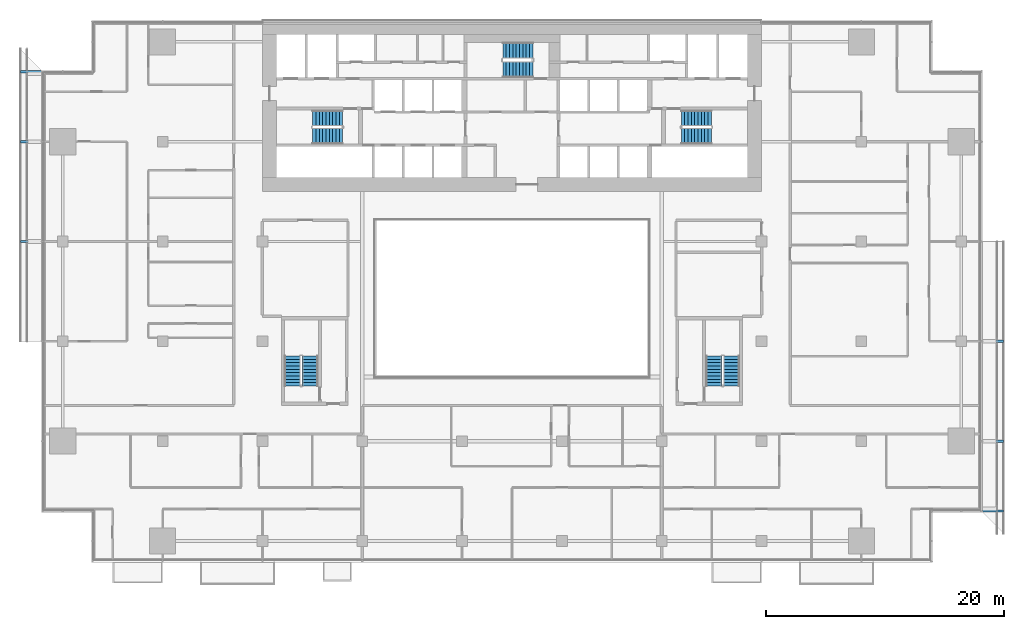
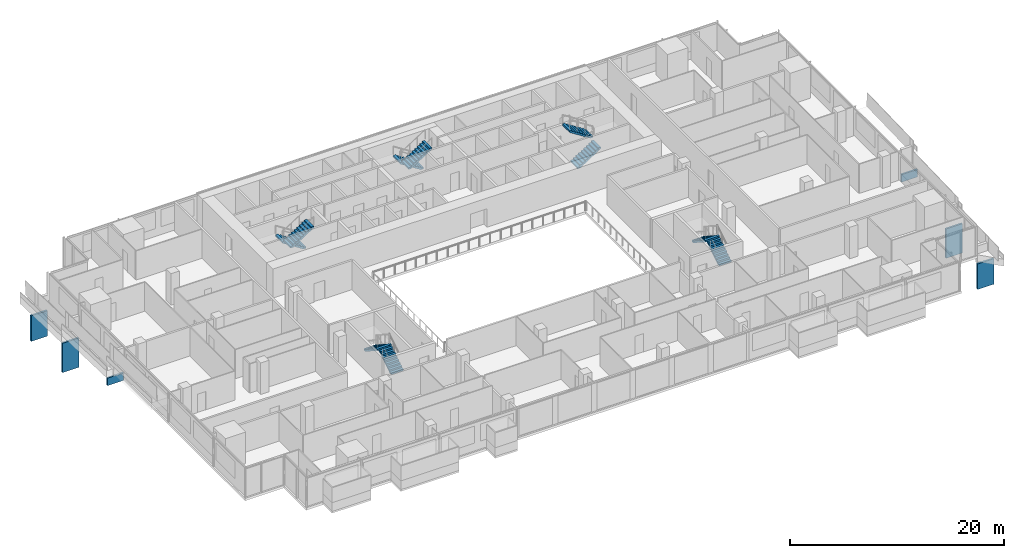
# One storey, part 25 of 28: 10 stair flights, 6 discrete accessories, 5 elements without a shape of their own.
"""IFC4 building model written with IfcOpenShell, lengths in metres."""

from ifc_helpers import new_model, si_unit, direction, frame, origin, origin_2d, place, context, subcontext, project, spatial, polyline, rectangle, outline, extrude, material, type_object, element, aggregate, save


model = new_model("IFC4")

# Units and contexts
model_context = context("Model", 3, precision=1e-05, world=origin(), true_north=direction((0.0, 1.0)))
body_context = subcontext(model_context, "Body", "Model", "MODEL_VIEW")
ifc_project = project(units=[si_unit("LENGTHUNIT", "METRE"), si_unit("AREAUNIT", "SQUARE_METRE"), si_unit("VOLUMEUNIT", "CUBIC_METRE"), si_unit("PLANEANGLEUNIT", "RADIAN"), si_unit("MASSUNIT", "GRAM", prefix="KILO")], contexts=[model_context])

# Site, building, storey
site_placement = place(None, origin())
site = spatial("IfcSite", under=ifc_project, at=site_placement, CompositionType="ELEMENT")
building_placement = place(site_placement, origin())
building = spatial("IfcBuilding", under=site, at=building_placement, Name="Saffron Gate Tower", CompositionType="ELEMENT")
storey_placement = place(building_placement, frame((0.0, 0.0, 51.60009765625)))
storey = spatial("IfcBuildingStorey", under=building, at=storey_placement, Name="L11", CompositionType="ELEMENT", Elevation=51.60009765625)

# Stair, stair flights
ifc_material = material(Name="Concrete C40", Category="concrete")
stair_type = type_object("IfcStairType", Name="ST7 Stair 1350 wide, 20 risers of 180", PredefinedType="HALF_TURN_STAIR", material=ifc_material)
stair_1_placement = place(storey_placement, origin())
stair_1 = element("IfcStair", 1, at=stair_1_placement, inside=storey, type_object=stair_type, Name="L11 Exit stair A", PredefinedType="HALF_TURN_STAIR")
stair_flight_type = type_object("IfcStairFlightType", Name="SF3 Stair flight 1350 wide, riser 180 going 280", PredefinedType="STRAIGHT", material=ifc_material)
stair_flight_1_placement = place(storey_placement, frame((73.35009765625, 67.375, 0.0), z_axis=(0.0, 0.0, 1.0), x_axis=(-1.0, 0.0, 0.0)))
stair_flight_1 = element("IfcStairFlight", 2, at=stair_flight_1_placement, type_object=stair_flight_type, Name="ST-A flight 1", NumberOfRisers=10, NumberOfTreads=9, PredefinedType="STRAIGHT", RiserHeight=0.18, TreadLength=0.28, context=body_context, shape_type="SweptSolid", body=[
    extrude(outline(polyline([(0.0, 0.0), (0.0, 0.179931640625), (0.280029296875, 0.179931640625), (0.280029296875, 0.360107421875), (0.56005859375, 0.360107421875), (0.56005859375, 0.5400390625), (0.840087890625, 0.5400390625), (0.840087890625, 0.719970703125), (1.1201171875, 0.719970703125), (1.1201171875, 0.89990234375), (1.39990234375, 0.89990234375), (1.39990234375, 1.080078125), (1.679931640625, 1.080078125), (1.679931640625, 1.260009765625), (1.9599609375, 1.260009765625), (1.9599609375, 1.43994140625), (2.239990234375, 1.43994140625), (2.239990234375, 1.6201171875), (2.52001953125, 1.6201171875), (2.52001953125, 1.800048828125), (2.52001953125, 1.44189453125), (0.277099609375, 0.0), (0.0, 0.0)])), frame((0.0, 0.675048828125, 0.0), z_axis=(0.0, -1.0, 0.0), x_axis=(1.0, 0.0, 0.0)), (0.0, 0.0, 1.0), 1.35009765625),
])
stair_flight_2_placement = place(storey_placement, frame((70.830078125, 65.875, 1.7998046875), z_axis=(0.0, 0.0, 1.0), x_axis=(1.0, 0.0, 0.0)))
stair_flight_2 = element("IfcStairFlight", 3, at=stair_flight_2_placement, type_object=stair_flight_type, Name="ST-A flight 2", NumberOfRisers=10, NumberOfTreads=9, PredefinedType="STRAIGHT", RiserHeight=0.18, TreadLength=0.28, context=body_context, shape_type="SweptSolid", body=[
    extrude(outline(polyline([(0.0, 0.0), (0.0, 0.179931640625), (0.280029296875, 0.179931640625), (0.280029296875, 0.360107421875), (0.56005859375, 0.360107421875), (0.56005859375, 0.5400390625), (0.840087890625, 0.5400390625), (0.840087890625, 0.719970703125), (1.1201171875, 0.719970703125), (1.1201171875, 0.89990234375), (1.39990234375, 0.89990234375), (1.39990234375, 1.080078125), (1.679931640625, 1.080078125), (1.679931640625, 1.260009765625), (1.9599609375, 1.260009765625), (1.9599609375, 1.43994140625), (2.239990234375, 1.43994140625), (2.239990234375, 1.6201171875), (2.52001953125, 1.6201171875), (2.52001953125, 1.800048828125), (2.52001953125, 1.44189453125), (0.277099609375, 0.0), (0.0, 0.0)])), frame((0.0, 0.675048828125, 0.0), z_axis=(0.0, -1.0, 0.0), x_axis=(1.0, 0.0, 0.0)), (0.0, 0.0, 1.0), 1.35009765625),
])
aggregate(stair_1, [stair_flight_1, stair_flight_2])

stair_2_placement = place(storey_placement, origin())
stair_2 = element("IfcStair", 4, at=stair_2_placement, inside=storey, type_object=stair_type, Name="L11 Exit stair B", PredefinedType="HALF_TURN_STAIR")
stair_flight_3_placement = place(storey_placement, frame((101.85009765625, 65.875, 0.0), z_axis=(0.0, 0.0, 1.0), x_axis=(1.0, 0.0, 0.0)))
stair_flight_3 = element("IfcStairFlight", 5, at=stair_flight_3_placement, type_object=stair_flight_type, Name="ST-B flight 1", NumberOfRisers=10, NumberOfTreads=9, PredefinedType="STRAIGHT", RiserHeight=0.18, TreadLength=0.28, context=body_context, shape_type="SweptSolid", body=[
    extrude(outline(polyline([(0.0, 0.0), (0.0, 0.179931640625), (0.280029296875, 0.179931640625), (0.280029296875, 0.360107421875), (0.56005859375, 0.360107421875), (0.56005859375, 0.5400390625), (0.840087890625, 0.5400390625), (0.840087890625, 0.719970703125), (1.1201171875, 0.719970703125), (1.1201171875, 0.89990234375), (1.39990234375, 0.89990234375), (1.39990234375, 1.080078125), (1.679931640625, 1.080078125), (1.679931640625, 1.260009765625), (1.9599609375, 1.260009765625), (1.9599609375, 1.43994140625), (2.239990234375, 1.43994140625), (2.239990234375, 1.6201171875), (2.52001953125, 1.6201171875), (2.52001953125, 1.800048828125), (2.52001953125, 1.44189453125), (0.277099609375, 0.0), (0.0, 0.0)])), frame((0.0, 0.675048828125, 0.0), z_axis=(0.0, -1.0, 0.0), x_axis=(1.0, 0.0, 0.0)), (0.0, 0.0, 1.0), 1.35009765625),
])
stair_flight_4_placement = place(storey_placement, frame((104.3701171875, 67.375, 1.7998046875), z_axis=(0.0, 0.0, 1.0), x_axis=(-1.0, 0.0, 0.0)))
stair_flight_4 = element("IfcStairFlight", 6, at=stair_flight_4_placement, type_object=stair_flight_type, Name="ST-B flight 2", NumberOfRisers=10, NumberOfTreads=9, PredefinedType="STRAIGHT", RiserHeight=0.18, TreadLength=0.28, context=body_context, shape_type="SweptSolid", body=[
    extrude(outline(polyline([(0.0, 0.0), (0.0, 0.179931640625), (0.280029296875, 0.179931640625), (0.280029296875, 0.360107421875), (0.56005859375, 0.360107421875), (0.56005859375, 0.5400390625), (0.840087890625, 0.5400390625), (0.840087890625, 0.719970703125), (1.1201171875, 0.719970703125), (1.1201171875, 0.89990234375), (1.39990234375, 0.89990234375), (1.39990234375, 1.080078125), (1.679931640625, 1.080078125), (1.679931640625, 1.260009765625), (1.9599609375, 1.260009765625), (1.9599609375, 1.43994140625), (2.239990234375, 1.43994140625), (2.239990234375, 1.6201171875), (2.52001953125, 1.6201171875), (2.52001953125, 1.800048828125), (2.52001953125, 1.44189453125), (0.277099609375, 0.0), (0.0, 0.0)])), frame((0.0, 0.675048828125, 0.0), z_axis=(0.0, -1.0, 0.0), x_axis=(1.0, 0.0, 0.0)), (0.0, 0.0, 1.0), 1.35009765625),
])
aggregate(stair_2, [stair_flight_3, stair_flight_4])

stair_3_placement = place(storey_placement, origin())
stair_3 = element("IfcStair", 7, at=stair_3_placement, inside=storey, type_object=stair_type, Name="L11 Exit stair C", PredefinedType="HALF_TURN_STAIR")
stair_flight_5_placement = place(storey_placement, frame((89.35009765625, 73.074951171875, 0.0), z_axis=(0.0, 0.0, 1.0), x_axis=(-1.0, 0.0, 0.0)))
stair_flight_5 = element("IfcStairFlight", 8, at=stair_flight_5_placement, type_object=stair_flight_type, Name="ST-C flight 1", NumberOfRisers=10, NumberOfTreads=9, PredefinedType="STRAIGHT", RiserHeight=0.18, TreadLength=0.28, context=body_context, shape_type="SweptSolid", body=[
    extrude(outline(polyline([(0.0, 0.0), (0.0, 0.179931640625), (0.280029296875, 0.179931640625), (0.280029296875, 0.360107421875), (0.56005859375, 0.360107421875), (0.56005859375, 0.5400390625), (0.840087890625, 0.5400390625), (0.840087890625, 0.719970703125), (1.1201171875, 0.719970703125), (1.1201171875, 0.89990234375), (1.39990234375, 0.89990234375), (1.39990234375, 1.080078125), (1.679931640625, 1.080078125), (1.679931640625, 1.260009765625), (1.9599609375, 1.260009765625), (1.9599609375, 1.43994140625), (2.239990234375, 1.43994140625), (2.239990234375, 1.6201171875), (2.52001953125, 1.6201171875), (2.52001953125, 1.800048828125), (2.52001953125, 1.44189453125), (0.277099609375, 0.0), (0.0, 0.0)])), frame((0.0, 0.675048828125, 0.0), z_axis=(0.0, -1.0, 0.0), x_axis=(1.0, 0.0, 0.0)), (0.0, 0.0, 1.0), 1.35009765625),
])
stair_flight_6_placement = place(storey_placement, frame((86.830078125, 71.47509765625, 1.7998046875), z_axis=(0.0, 0.0, 1.0), x_axis=(1.0, 0.0, 0.0)))
stair_flight_6 = element("IfcStairFlight", 9, at=stair_flight_6_placement, type_object=stair_flight_type, Name="ST-C flight 2", NumberOfRisers=10, NumberOfTreads=9, PredefinedType="STRAIGHT", RiserHeight=0.18, TreadLength=0.28, context=body_context, shape_type="SweptSolid", body=[
    extrude(outline(polyline([(0.0, 0.0), (0.0, 0.179931640625), (0.280029296875, 0.179931640625), (0.280029296875, 0.360107421875), (0.56005859375, 0.360107421875), (0.56005859375, 0.5400390625), (0.840087890625, 0.5400390625), (0.840087890625, 0.719970703125), (1.1201171875, 0.719970703125), (1.1201171875, 0.89990234375), (1.39990234375, 0.89990234375), (1.39990234375, 1.080078125), (1.679931640625, 1.080078125), (1.679931640625, 1.260009765625), (1.9599609375, 1.260009765625), (1.9599609375, 1.43994140625), (2.239990234375, 1.43994140625), (2.239990234375, 1.6201171875), (2.52001953125, 1.6201171875), (2.52001953125, 1.800048828125), (2.52001953125, 1.44189453125), (0.277099609375, 0.0), (0.0, 0.0)])), frame((0.0, 0.675048828125, 0.0), z_axis=(0.0, -1.0, 0.0), x_axis=(1.0, 0.0, 0.0)), (0.0, 0.0, 1.0), 1.35009765625),
])
aggregate(stair_3, [stair_flight_5, stair_flight_6])

stair_4_placement = place(storey_placement, origin())
stair_4 = element("IfcStair", 10, at=stair_4_placement, inside=storey, type_object=stair_type, Name="L11 Exit stair D", PredefinedType="HALF_TURN_STAIR")
stair_flight_7_placement = place(storey_placement, frame((70.625, 44.85009765625, 0.0), z_axis=(0.0, 0.0, 1.0), x_axis=(0.0, 1.0, 0.0)))
stair_flight_7 = element("IfcStairFlight", 11, at=stair_flight_7_placement, type_object=stair_flight_type, Name="ST-D flight 1", NumberOfRisers=10, NumberOfTreads=9, PredefinedType="STRAIGHT", RiserHeight=0.18, TreadLength=0.28, context=body_context, shape_type="SweptSolid", body=[
    extrude(outline(polyline([(0.0, 0.0), (0.0, 0.179931640625), (0.280029296875, 0.179931640625), (0.280029296875, 0.360107421875), (0.56005859375, 0.360107421875), (0.56005859375, 0.5400390625), (0.840087890625, 0.5400390625), (0.840087890625, 0.719970703125), (1.1201171875, 0.719970703125), (1.1201171875, 0.89990234375), (1.39990234375, 0.89990234375), (1.39990234375, 1.080078125), (1.679931640625, 1.080078125), (1.679931640625, 1.260009765625), (1.9599609375, 1.260009765625), (1.9599609375, 1.43994140625), (2.239990234375, 1.43994140625), (2.239990234375, 1.6201171875), (2.52001953125, 1.6201171875), (2.52001953125, 1.800048828125), (2.52001953125, 1.44189453125), (0.277099609375, 0.0), (0.0, 0.0)])), frame((0.0, 0.675048828125, 0.0), z_axis=(0.0, -1.0, 0.0), x_axis=(1.0, 0.0, 0.0)), (0.0, 0.0, 1.0), 1.35009765625),
])
stair_flight_8_placement = place(storey_placement, frame((69.125, 47.3701171875, 1.7998046875), z_axis=(0.0, 0.0, 1.0), x_axis=(0.0, -1.0, 0.0)))
stair_flight_8 = element("IfcStairFlight", 12, at=stair_flight_8_placement, type_object=stair_flight_type, Name="ST-D flight 2", NumberOfRisers=10, NumberOfTreads=9, PredefinedType="STRAIGHT", RiserHeight=0.18, TreadLength=0.28, context=body_context, shape_type="SweptSolid", body=[
    extrude(outline(polyline([(0.0, 0.0), (0.0, 0.179931640625), (0.280029296875, 0.179931640625), (0.280029296875, 0.360107421875), (0.56005859375, 0.360107421875), (0.56005859375, 0.5400390625), (0.840087890625, 0.5400390625), (0.840087890625, 0.719970703125), (1.1201171875, 0.719970703125), (1.1201171875, 0.89990234375), (1.39990234375, 0.89990234375), (1.39990234375, 1.080078125), (1.679931640625, 1.080078125), (1.679931640625, 1.260009765625), (1.9599609375, 1.260009765625), (1.9599609375, 1.43994140625), (2.239990234375, 1.43994140625), (2.239990234375, 1.6201171875), (2.52001953125, 1.6201171875), (2.52001953125, 1.800048828125), (2.52001953125, 1.44189453125), (0.277099609375, 0.0), (0.0, 0.0)])), frame((0.0, 0.675048828125, 0.0), z_axis=(0.0, -1.0, 0.0), x_axis=(1.0, 0.0, 0.0)), (0.0, 0.0, 1.0), 1.35009765625),
])
aggregate(stair_4, [stair_flight_7, stair_flight_8])

stair_5_placement = place(storey_placement, origin())
stair_5 = element("IfcStair", 13, at=stair_5_placement, inside=storey, type_object=stair_type, Name="L11 Exit stair E", PredefinedType="HALF_TURN_STAIR")
stair_flight_9_placement = place(storey_placement, frame((106.074951171875, 44.85009765625, 0.0), z_axis=(0.0, 0.0, 1.0), x_axis=(0.0, 1.0, 0.0)))
stair_flight_9 = element("IfcStairFlight", 14, at=stair_flight_9_placement, type_object=stair_flight_type, Name="ST-E flight 1", NumberOfRisers=10, NumberOfTreads=9, PredefinedType="STRAIGHT", RiserHeight=0.18, TreadLength=0.28, context=body_context, shape_type="SweptSolid", body=[
    extrude(outline(polyline([(0.0, 0.0), (0.0, 0.179931640625), (0.280029296875, 0.179931640625), (0.280029296875, 0.360107421875), (0.56005859375, 0.360107421875), (0.56005859375, 0.5400390625), (0.840087890625, 0.5400390625), (0.840087890625, 0.719970703125), (1.1201171875, 0.719970703125), (1.1201171875, 0.89990234375), (1.39990234375, 0.89990234375), (1.39990234375, 1.080078125), (1.679931640625, 1.080078125), (1.679931640625, 1.260009765625), (1.9599609375, 1.260009765625), (1.9599609375, 1.43994140625), (2.239990234375, 1.43994140625), (2.239990234375, 1.6201171875), (2.52001953125, 1.6201171875), (2.52001953125, 1.800048828125), (2.52001953125, 1.44189453125), (0.277099609375, 0.0), (0.0, 0.0)])), frame((0.0, 0.675048828125, 0.0), z_axis=(0.0, -1.0, 0.0), x_axis=(1.0, 0.0, 0.0)), (0.0, 0.0, 1.0), 1.35009765625),
])
stair_flight_10_placement = place(storey_placement, frame((104.574951171875, 47.3701171875, 1.7998046875), z_axis=(0.0, 0.0, 1.0), x_axis=(0.0, -1.0, 0.0)))
stair_flight_10 = element("IfcStairFlight", 15, at=stair_flight_10_placement, type_object=stair_flight_type, Name="ST-E flight 2", NumberOfRisers=10, NumberOfTreads=9, PredefinedType="STRAIGHT", RiserHeight=0.18, TreadLength=0.28, context=body_context, shape_type="SweptSolid", body=[
    extrude(outline(polyline([(0.0, 0.0), (0.0, 0.179931640625), (0.280029296875, 0.179931640625), (0.280029296875, 0.360107421875), (0.56005859375, 0.360107421875), (0.56005859375, 0.5400390625), (0.840087890625, 0.5400390625), (0.840087890625, 0.719970703125), (1.1201171875, 0.719970703125), (1.1201171875, 0.89990234375), (1.39990234375, 0.89990234375), (1.39990234375, 1.080078125), (1.679931640625, 1.080078125), (1.679931640625, 1.260009765625), (1.9599609375, 1.260009765625), (1.9599609375, 1.43994140625), (2.239990234375, 1.43994140625), (2.239990234375, 1.6201171875), (2.52001953125, 1.6201171875), (2.52001953125, 1.800048828125), (2.52001953125, 1.44189453125), (0.277099609375, 0.0), (0.0, 0.0)])), frame((0.0, 0.675048828125, 0.0), z_axis=(0.0, -1.0, 0.0), x_axis=(1.0, 0.0, 0.0)), (0.0, 0.0, 1.0), 1.35009765625),
])
aggregate(stair_5, [stair_flight_9, stair_flight_10])

# Discrete accessories
discrete_accessory_1_placement = place(storey_placement, frame((128.074951171875, 34.320068359375, -3.880126953125), z_axis=(0.0, 0.0, 1.0), x_axis=(0.0, 1.0, 0.0)))
element("IfcDiscreteAccessory", 16, at=discrete_accessory_1_placement, inside=storey, Name="LEDGE rib", PredefinedType="BRACKET", context=body_context, shape_type="SweptSolid", body=[
    extrude(rectangle(XDim=0.199951171875, YDim=1.75, at=origin_2d()), origin(), (0.0, 0.0, 1.0), 2.921875),
])
discrete_accessory_2_placement = place(storey_placement, frame((128.074951171875, 40.199951171875, -3.880126953125), z_axis=(0.0, 0.0, 1.0), x_axis=(0.0, 1.0, 0.0)))
element("IfcDiscreteAccessory", 17, at=discrete_accessory_2_placement, inside=storey, Name="LEDGE rib", PredefinedType="BRACKET", context=body_context, shape_type="SweptSolid", body=[
    extrude(rectangle(XDim=0.199951171875, YDim=1.75, at=origin_2d()), origin(), (0.0, 0.0, 1.0), 3.35205078125),
])
discrete_accessory_3_placement = place(storey_placement, frame((128.074951171875, 48.60009765625, -0.2802734375), z_axis=(0.0, 0.0, 1.0), x_axis=(0.0, 1.0, 0.0)))
element("IfcDiscreteAccessory", 18, at=discrete_accessory_3_placement, inside=storey, Name="LEDGE rib", PredefinedType="BRACKET", context=body_context, shape_type="SweptSolid", body=[
    extrude(rectangle(XDim=0.199951171875, YDim=1.75, at=origin_2d()), origin(), (0.0, 0.0, 1.0), 0.851318359375),
])
discrete_accessory_4_placement = place(storey_placement, frame((47.125, 71.280029296875, -3.880126953125), z_axis=(0.0, 0.0, 1.0), x_axis=(0.0, -1.0, 0.0)))
element("IfcDiscreteAccessory", 19, at=discrete_accessory_4_placement, inside=storey, Name="LEDGE rib", PredefinedType="BRACKET", context=body_context, shape_type="SweptSolid", body=[
    extrude(rectangle(XDim=0.199951171875, YDim=1.75, at=origin_2d()), origin(), (0.0, 0.0, 1.0), 2.921875),
])
discrete_accessory_5_placement = place(storey_placement, frame((47.125, 65.39990234375, -3.880126953125), z_axis=(0.0, 0.0, 1.0), x_axis=(0.0, -1.0, 0.0)))
element("IfcDiscreteAccessory", 20, at=discrete_accessory_5_placement, inside=storey, Name="LEDGE rib", PredefinedType="BRACKET", context=body_context, shape_type="SweptSolid", body=[
    extrude(rectangle(XDim=0.199951171875, YDim=1.75, at=origin_2d()), origin(), (0.0, 0.0, 1.0), 3.35205078125),
])
discrete_accessory_6_placement = place(storey_placement, frame((47.125, 57.0, -0.2802734375), z_axis=(0.0, 0.0, 1.0), x_axis=(0.0, -1.0, 0.0)))
element("IfcDiscreteAccessory", 21, at=discrete_accessory_6_placement, inside=storey, Name="LEDGE rib", PredefinedType="BRACKET", context=body_context, shape_type="SweptSolid", body=[
    extrude(rectangle(XDim=0.199951171875, YDim=1.75, at=origin_2d()), origin(), (0.0, 0.0, 1.0), 0.851318359375),
])

save(model, "model.ifc")
